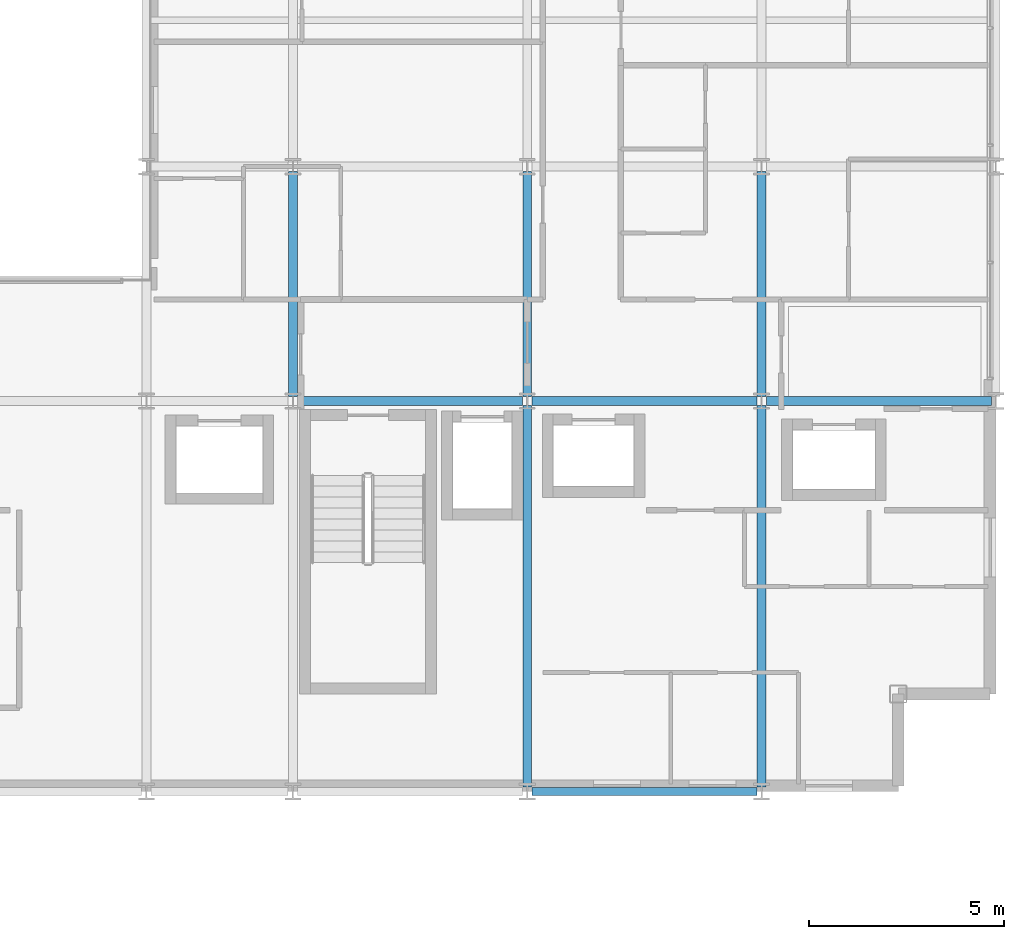
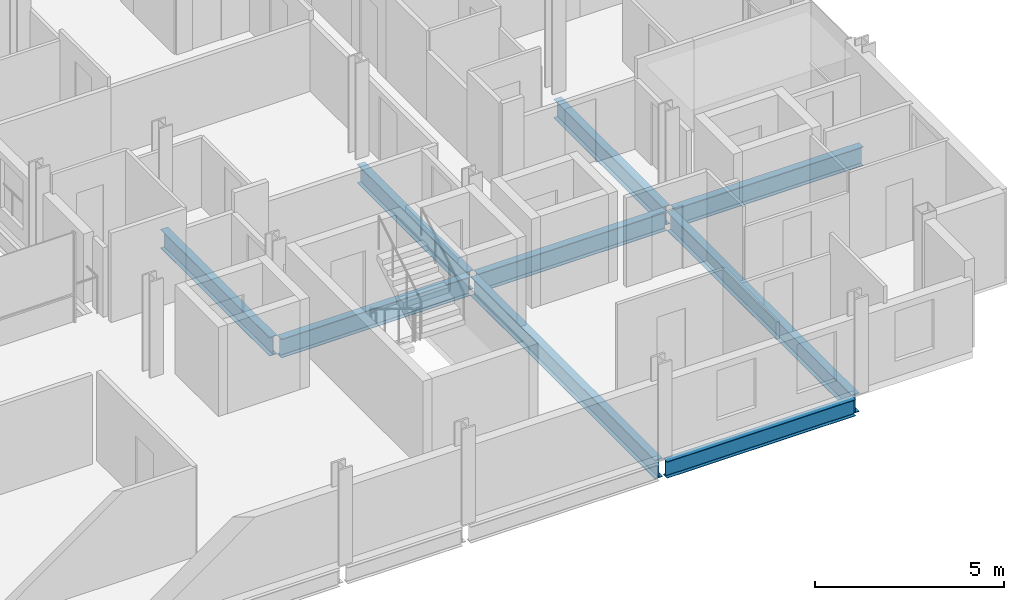
# One storey, part 14 of 41: 9 beams.
"""IFC4 building model written with IfcOpenShell, lengths in metres."""

from ifc_helpers import new_model, si_unit, direction, frame, origin, origin_2d, place, context, subcontext, project, spatial, i_section, extrude, material, material_profile, profile_set, type_object, element, save


model = new_model("IFC4")

# Units and contexts
model_context = context("Model", 3, precision=1e-05, world=origin(), true_north=direction((0.0, 1.0)))
body_context = subcontext(model_context, "Body", "Model", "MODEL_VIEW")
ifc_project = project(units=[si_unit("LENGTHUNIT", "METRE"), si_unit("AREAUNIT", "SQUARE_METRE"), si_unit("VOLUMEUNIT", "CUBIC_METRE"), si_unit("PLANEANGLEUNIT", "RADIAN"), si_unit("MASSUNIT", "GRAM", prefix="KILO")], contexts=[model_context])

# Site, building, storey
site_placement = place(None, origin())
site = spatial("IfcSite", under=ifc_project, at=site_placement, CompositionType="ELEMENT")
building_placement = place(site_placement, origin())
building = spatial("IfcBuilding", under=site, at=building_placement, Name="Brevholm Reach", CompositionType="ELEMENT")
storey_placement = place(building_placement, frame((0.0, 0.0, 106.60009765625)))
storey = spatial("IfcBuildingStorey", under=building, at=storey_placement, Name="L31", CompositionType="ELEMENT", Elevation=106.60009765625)

# Beams
ifc_material_1 = material(Name="Structural Steel S355J2", Category="steel")
ifc_material_profile_1 = material_profile(ifc_material_1, i_section(OverallWidth=0.209228515625, OverallDepth=0.533203125, WebThickness=0.010009765625, FlangeThickness=0.015625, FilletRadius=0.0126953125, at=origin_2d()), Name="UKB 533x210x92")
ifc_profile_set_1 = profile_set([ifc_material_profile_1], Name="Structural Steel S355J2")
beam_type_1 = type_object("IfcBeamType", Name="BM-SP533", PredefinedType="SPANDREL", material=ifc_profile_set_1)
beam_1_placement = place(storey_placement, frame((48.1201171875, 0.0, -0.486572265625), z_axis=(1.0, 0.0, 0.0), x_axis=(0.0, 1.0, 0.0)))
element("IfcBeam", 1, at=beam_1_placement, inside=storey, type_object=beam_type_1, Name="L31 SP-02 Framing Beam", PredefinedType="SPANDREL", context=body_context, shape_type="SweptSolid", body=[
    extrude(i_section(OverallWidth=0.209228515625, OverallDepth=0.533203125, WebThickness=0.010009765625, FlangeThickness=0.015625, FilletRadius=0.0126953125, at=origin_2d()), origin(), (0.0, 0.0, 1.0), 5.759765625),
])
ifc_material_2 = material(Name="Structural Steel S355J2", Category="steel")
ifc_material_profile_2 = material_profile(ifc_material_2, i_section(OverallWidth=0.22900390625, OverallDepth=0.6123046875, WebThickness=0.011962890625, FlangeThickness=0.01953125, FilletRadius=0.0126953125, at=origin_2d()), Name="UKB 610x229x125")
ifc_profile_set_2 = profile_set([ifc_material_profile_2], Name="Structural Steel S355J2")
beam_type_2 = type_object("IfcBeamType", Name="BM-SP610", PredefinedType="SPANDREL", material=ifc_profile_set_2)
for number, where, z_axis, x_axis, name in (
    (2, (42.1201171875, 10.0, -0.526123046875), (1.0, 0.0, 0.0), (0.0, 1.0, 0.0), "L31 SP-01 Framing Beam"),
    (3, (48.1201171875, 10.0, -0.526123046875), (1.0, 0.0, 0.0), (0.0, 1.0, 0.0), "L31 SP-01 Framing Beam"),
    (4, (54.1201171875, 10.0, -0.526123046875), (1.0, 0.0, 0.0), (0.0, 1.0, 0.0), "L31 SP-01 Framing Beam"),
    (5, (42.0, 10.1201171875, -0.526123046875), (0.0, 1.0, 0.0), (-1.0, 0.0, 0.0), "L31 SP-01 Framing Beam"),
):
    element("IfcBeam", number, at=place(storey_placement, frame(where, z_axis=z_axis, x_axis=x_axis)), inside=storey, type_object=beam_type_2, Name=name, PredefinedType="SPANDREL", context=body_context, shape_type="SweptSolid", body=[
        extrude(i_section(OverallWidth=0.22900390625, OverallDepth=0.6123046875, WebThickness=0.011962890625, FlangeThickness=0.01953125, FilletRadius=0.0126953125, at=origin_2d()), origin(), (0.0, 0.0, 1.0), 5.759765625),
    ])
beam_2_placement = place(storey_placement, frame((48.0, 0.1201171875, -0.526123046875), z_axis=(0.0, 1.0, 0.0), x_axis=(-1.0, 0.0, 0.0)))
element("IfcBeam", 6, at=beam_2_placement, inside=storey, type_object=beam_type_2, Name="L31 SP-01 Framing Beam", PredefinedType="SPANDREL", context=body_context, shape_type="SweptSolid", body=[
    extrude(i_section(OverallWidth=0.22900390625, OverallDepth=0.6123046875, WebThickness=0.011962890625, FlangeThickness=0.01953125, FilletRadius=0.0126953125, at=origin_2d()), origin(), (0.0, 0.0, 1.0), 9.759765625),
])
beam_3_placement = place(storey_placement, frame((48.0, 10.1201171875, -0.526123046875), z_axis=(0.0, 1.0, 0.0), x_axis=(-1.0, 0.0, 0.0)))
element("IfcBeam", 7, at=beam_3_placement, inside=storey, type_object=beam_type_2, Name="L31 SP-01 Framing Beam", PredefinedType="SPANDREL", context=body_context, shape_type="SweptSolid", body=[
    extrude(i_section(OverallWidth=0.22900390625, OverallDepth=0.6123046875, WebThickness=0.011962890625, FlangeThickness=0.01953125, FilletRadius=0.0126953125, at=origin_2d()), origin(), (0.0, 0.0, 1.0), 5.759765625),
])
beam_4_placement = place(storey_placement, frame((54.0, 0.1201171875, -0.526123046875), z_axis=(0.0, 1.0, 0.0), x_axis=(-1.0, 0.0, 0.0)))
element("IfcBeam", 8, at=beam_4_placement, inside=storey, type_object=beam_type_2, Name="L31 SP-01 Framing Beam", PredefinedType="SPANDREL", context=body_context, shape_type="SweptSolid", body=[
    extrude(i_section(OverallWidth=0.22900390625, OverallDepth=0.6123046875, WebThickness=0.011962890625, FlangeThickness=0.01953125, FilletRadius=0.0126953125, at=origin_2d()), origin(), (0.0, 0.0, 1.0), 9.759765625),
])
beam_5_placement = place(storey_placement, frame((54.0, 10.1201171875, -0.526123046875), z_axis=(0.0, 1.0, 0.0), x_axis=(-1.0, 0.0, 0.0)))
element("IfcBeam", 9, at=beam_5_placement, inside=storey, type_object=beam_type_2, Name="L31 SP-01 Framing Beam", PredefinedType="SPANDREL", context=body_context, shape_type="SweptSolid", body=[
    extrude(i_section(OverallWidth=0.22900390625, OverallDepth=0.6123046875, WebThickness=0.011962890625, FlangeThickness=0.01953125, FilletRadius=0.0126953125, at=origin_2d()), origin(), (0.0, 0.0, 1.0), 5.759765625),
])

save(model, "model.ifc")
